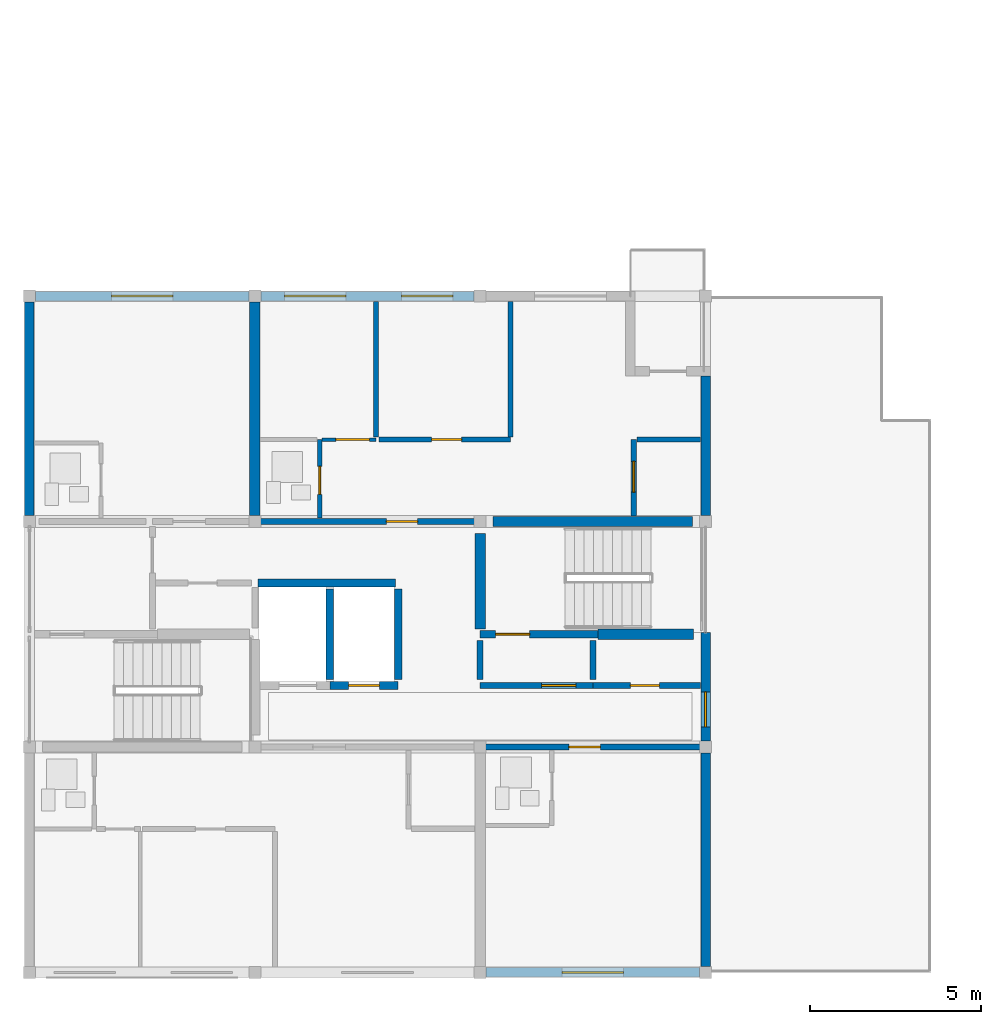
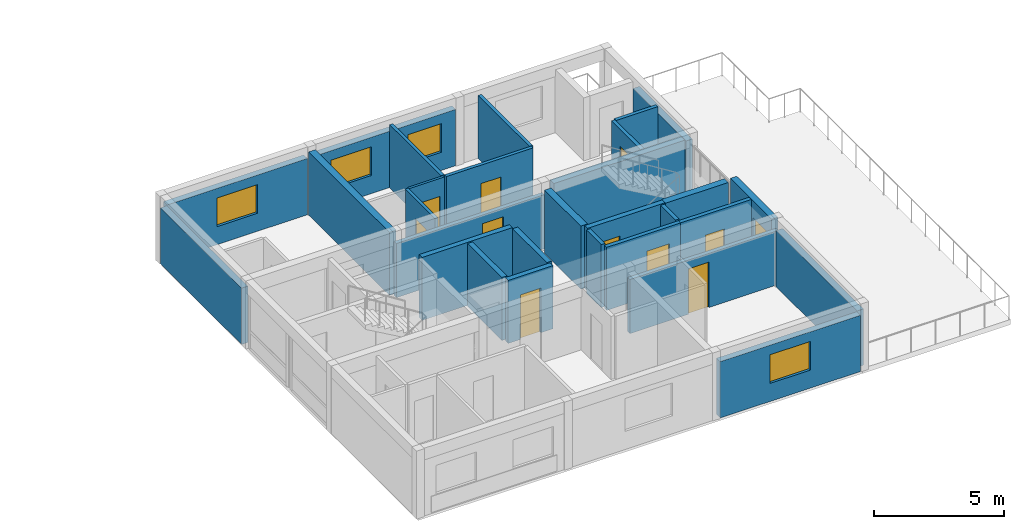
# One storey, part 26 of 46: 29 walls, 11 doors, 4 windows, 15 openings.
"""IFC4 building model written with IfcOpenShell, lengths in metres."""

from ifc_helpers import new_model, si_unit, direction, frame, frame_2d, origin, place, context, subcontext, project, spatial, rectangle, extrude, material, layer, layer_set, type_object, element, fill, save


model = new_model("IFC4")

# Units and contexts
model_context = context("Model", 3, precision=1e-05, world=origin(), true_north=direction((0.0, 1.0)))
body_context = subcontext(model_context, "Body", "Model", "MODEL_VIEW")
ifc_project = project(units=[si_unit("LENGTHUNIT", "METRE"), si_unit("AREAUNIT", "SQUARE_METRE"), si_unit("VOLUMEUNIT", "CUBIC_METRE"), si_unit("PLANEANGLEUNIT", "RADIAN"), si_unit("MASSUNIT", "GRAM", prefix="KILO")], contexts=[model_context])

# Site, building, storey
site_placement = place(None, origin())
site = spatial("IfcSite", under=ifc_project, at=site_placement, CompositionType="ELEMENT")
building_placement = place(site_placement, origin())
building = spatial("IfcBuilding", under=site, at=building_placement, Name="Kernevlak Ridge Housing Community", CompositionType="ELEMENT")
storey_placement = place(building_placement, frame((0.0, 0.0, 27.60009765625)))
storey = spatial("IfcBuildingStorey", under=building, at=storey_placement, Name="L08", CompositionType="ELEMENT", Elevation=27.60009765625)

# Wall, opening, window
ifc_material_1 = material(Name="Concrete block masonry M10", Category="masonry")
ifc_layer_1 = layer(ifc_material_1, 0.280029296875, Name="Concrete block masonry M10")
ifc_layer_set_1 = layer_set([ifc_layer_1], Name="Concrete block masonry M10")
wall_type_1 = type_object("IfcWallType", Name="EW-03", PredefinedType="STANDARD", material=ifc_layer_set_1)
wall_1_placement = place(storey_placement, frame((28.97509765625, 15.60009765625, 0.0), z_axis=(0.0, 0.0, 1.0), x_axis=(1.0, 0.0, 0.0)))
wall_1 = element("IfcWall", 1, at=wall_1_placement, inside=storey, type_object=wall_type_1, Name="Exterior wall EW-03 L08 825", PredefinedType="STANDARD", context=body_context, shape_type="SweptSolid", body=[
    extrude(rectangle(XDim=6.25, YDim=0.280029296875, at=frame_2d((3.125, 0.0))), origin(), (0.0, 0.0, 1.0), 2.64990234375),
])
opening_1_placement = place(wall_1_placement, frame((2.22509765625, 0.0, 0.85009765625)))
opening_1 = element("IfcOpeningElement", 2, at=opening_1_placement, cuts=wall_1, Name="Opening WT-03", PredefinedType="OPENING", context=body_context, shape_type="SweptSolid", body=[
    extrude(rectangle(XDim=1.800048828125, YDim=1.35009765625, at=frame_2d((0.89990234375, 0.675048828125))), frame((0.0, 0.14990234375, 0.0), z_axis=(0.0, -1.0, 0.0), x_axis=(1.0, 0.0, 0.0)), (0.0, 0.0, 1.0), 0.300048828125),
])
ifc_material_2 = material(Name="Aluminium EN AW-6060 anodised and laminated glass", Category="aluminium")
window_type_1 = type_object("IfcWindowType", Name="WT-03", PartitioningType="SINGLE_PANEL", PredefinedType="WINDOW", material=ifc_material_2)
window_1_placement = place(opening_1_placement, origin())
window_1 = element("IfcWindow", 3, at=window_1_placement, inside=storey, type_object=window_type_1, Name="Window WT-03 L08 686", OverallHeight=1.35009765625, OverallWidth=1.800048828125, PartitioningType="SINGLE_PANEL", PredefinedType="WINDOW", context=body_context, shape_type="SweptSolid", body=[
    extrude(rectangle(XDim=1.800048828125, YDim=1.35009765625, at=frame_2d((0.89990234375, 0.675048828125))), frame((0.0, 0.030029296875, 0.0), z_axis=(0.0, -1.0, 0.0), x_axis=(1.0, 0.0, 0.0)), (0.0, 0.0, 1.0), 0.06005859375),
])
fill(opening_1, window_1)

wall_2_placement = place(storey_placement, frame((15.77490234375, 35.39990234375, 0.0), z_axis=(0.0, 0.0, 1.0), x_axis=(1.0, 0.0, 0.0)))
wall_2 = element("IfcWall", 4, at=wall_2_placement, inside=storey, type_object=wall_type_1, Name="Exterior wall EW-03 L08 826", PredefinedType="STANDARD", context=body_context, shape_type="SweptSolid", body=[
    extrude(rectangle(XDim=6.25, YDim=0.280029296875, at=frame_2d((3.125, 0.0))), origin(), (0.0, 0.0, 1.0), 2.64990234375),
])
opening_2_placement = place(wall_2_placement, frame((2.22509765625, 0.0, 0.85009765625)))
opening_2 = element("IfcOpeningElement", 5, at=opening_2_placement, cuts=wall_2, Name="Opening WT-03", PredefinedType="OPENING", context=body_context, shape_type="SweptSolid", body=[
    extrude(rectangle(XDim=1.800048828125, YDim=1.35009765625, at=frame_2d((0.89990234375, 0.675048828125))), frame((0.0, 0.14990234375, 0.0), z_axis=(0.0, -1.0, 0.0), x_axis=(1.0, 0.0, 0.0)), (0.0, 0.0, 1.0), 0.300048828125),
])
window_2_placement = place(opening_2_placement, origin())
window_2 = element("IfcWindow", 6, at=window_2_placement, inside=storey, type_object=window_type_1, Name="Window WT-03 L08 687", OverallHeight=1.35009765625, OverallWidth=1.800048828125, PartitioningType="SINGLE_PANEL", PredefinedType="WINDOW", context=body_context, shape_type="SweptSolid", body=[
    extrude(rectangle(XDim=1.800048828125, YDim=1.35009765625, at=frame_2d((0.89990234375, 0.675048828125))), frame((0.0, 0.030029296875, 0.0), z_axis=(0.0, -1.0, 0.0), x_axis=(1.0, 0.0, 0.0)), (0.0, 0.0, 1.0), 0.06005859375),
])
fill(opening_2, window_2)

# Wall, openings, windows
wall_3_placement = place(storey_placement, frame((22.375, 35.39990234375, 0.0), z_axis=(0.0, 0.0, 1.0), x_axis=(1.0, 0.0, 0.0)))
wall_3 = element("IfcWall", 7, at=wall_3_placement, inside=storey, type_object=wall_type_1, Name="Exterior wall EW-03 L08 827", PredefinedType="STANDARD", context=body_context, shape_type="SweptSolid", body=[
    extrude(rectangle(XDim=6.25, YDim=0.280029296875, at=frame_2d((3.125, 0.0))), origin(), (0.0, 0.0, 1.0), 2.64990234375),
])
opening_3_placement = place(wall_3_placement, frame((0.699951171875, 0.0, 0.85009765625)))
opening_3 = element("IfcOpeningElement", 8, at=opening_3_placement, cuts=wall_3, Name="Opening WT-03", PredefinedType="OPENING", context=body_context, shape_type="SweptSolid", body=[
    extrude(rectangle(XDim=1.800048828125, YDim=1.35009765625, at=frame_2d((0.89990234375, 0.675048828125))), frame((0.0, 0.14990234375, 0.0), z_axis=(0.0, -1.0, 0.0), x_axis=(1.0, 0.0, 0.0)), (0.0, 0.0, 1.0), 0.300048828125),
])
opening_4_placement = place(wall_3_placement, frame((4.125, 0.0, 0.85009765625)))
opening_4 = element("IfcOpeningElement", 9, at=opening_4_placement, cuts=wall_3, Name="Opening WT-02", PredefinedType="OPENING", context=body_context, shape_type="SweptSolid", body=[
    extrude(rectangle(XDim=1.5, YDim=1.35009765625, at=frame_2d((0.75, 0.675048828125))), frame((0.0, 0.14990234375, 0.0), z_axis=(0.0, -1.0, 0.0), x_axis=(1.0, 0.0, 0.0)), (0.0, 0.0, 1.0), 0.300048828125),
])
window_type_2 = type_object("IfcWindowType", Name="WT-02", PartitioningType="SINGLE_PANEL", PredefinedType="WINDOW", material=ifc_material_2)
window_3_placement = place(opening_4_placement, origin())
window_3 = element("IfcWindow", 10, at=window_3_placement, inside=storey, type_object=window_type_2, Name="Window WT-02 L08 689", OverallHeight=1.35009765625, OverallWidth=1.5, PartitioningType="SINGLE_PANEL", PredefinedType="WINDOW", context=body_context, shape_type="SweptSolid", body=[
    extrude(rectangle(XDim=1.5, YDim=1.35009765625, at=frame_2d((0.75, 0.675048828125))), frame((0.0, 0.030029296875, 0.0), z_axis=(0.0, -1.0, 0.0), x_axis=(1.0, 0.0, 0.0)), (0.0, 0.0, 1.0), 0.06005859375),
])
fill(opening_4, window_3)
window_4_placement = place(opening_3_placement, origin())
window_4 = element("IfcWindow", 11, at=window_4_placement, inside=storey, type_object=window_type_1, Name="Window WT-03 L08 688", OverallHeight=1.35009765625, OverallWidth=1.800048828125, PartitioningType="SINGLE_PANEL", PredefinedType="WINDOW", context=body_context, shape_type="SweptSolid", body=[
    extrude(rectangle(XDim=1.800048828125, YDim=1.35009765625, at=frame_2d((0.89990234375, 0.675048828125))), frame((0.0, 0.030029296875, 0.0), z_axis=(0.0, -1.0, 0.0), x_axis=(1.0, 0.0, 0.0)), (0.0, 0.0, 1.0), 0.06005859375),
])
fill(opening_3, window_4)

# Walls
for number, where, z_axis, x_axis, name in (
    (12, (15.60009765625, 28.97509765625, 0.0), (0.0, 0.0, 1.0), (0.0, 1.0, 0.0), "Exterior wall EW-03 L08 832"),
    (13, (35.39990234375, 15.77490234375, 0.0), (0.0, 0.0, 1.0), (0.0, 1.0, 0.0), "Exterior wall EW-03 L08 833"),
):
    element("IfcWall", number, at=place(storey_placement, frame(where, z_axis=z_axis, x_axis=x_axis)), inside=storey, type_object=wall_type_1, Name=name, PredefinedType="STANDARD", context=body_context, shape_type="SweptSolid", body=[
        extrude(rectangle(XDim=6.25, YDim=0.280029296875, at=frame_2d((3.125, 0.0))), origin(), (0.0, 0.0, 1.0), 2.64990234375),
    ])

# Wall, opening, door
wall_4_placement = place(storey_placement, frame((35.39990234375, 22.375, 0.0), z_axis=(0.0, 0.0, 1.0), x_axis=(0.0, 1.0, 0.0)))
wall_4 = element("IfcWall", 14, at=wall_4_placement, inside=storey, type_object=wall_type_1, Name="Exterior wall EW-03 L08 834", PredefinedType="STANDARD", context=body_context, shape_type="SweptSolid", body=[
    extrude(rectangle(XDim=3.175048828125, YDim=0.280029296875, at=frame_2d((1.58740234375, 0.0))), origin(), (0.0, 0.0, 1.0), 2.969970703125),
])
opening_5_placement = place(wall_4_placement, frame((0.4150390625, 0.0, 0.0)))
opening_5 = element("IfcOpeningElement", 15, at=opening_5_placement, cuts=wall_4, Name="Opening E741", PredefinedType="OPENING", context=body_context, shape_type="SweptSolid", body=[
    extrude(rectangle(XDim=1.02001953125, YDim=2.159912109375, at=frame_2d((0.510009765625, 1.080078125))), frame((0.0, 0.14990234375, 0.0), z_axis=(0.0, -1.0, 0.0), x_axis=(1.0, 0.0, 0.0)), (0.0, 0.0, 1.0), 0.300048828125),
])
ifc_material_3 = material(Name="Aluminium EN AW-6060 and laminated safety glass", Category="aluminium")
door_type_1 = type_object("IfcDoorType", Name="DT-33", OperationType="NOTDEFINED", PredefinedType="DOOR", material=ifc_material_3)
door_1_placement = place(opening_5_placement, origin())
door_1 = element("IfcDoor", 16, at=door_1_placement, inside=storey, type_object=door_type_1, Name="Block D L08 setback terrace glazed door E741", OperationType="SINGLE_SWING_RIGHT", OverallHeight=2.159912109375, OverallWidth=1.02001953125, PredefinedType="DOOR", context=body_context, shape_type="SweptSolid", body=[
    extrude(rectangle(XDim=1.02001953125, YDim=2.159912109375, at=frame_2d((0.510009765625, 1.080078125))), frame((0.0, 0.02490234375, 0.0), z_axis=(0.0, -1.0, 0.0), x_axis=(1.0, 0.0, 0.0)), (0.0, 0.0, 1.0), 0.050048828125),
])
fill(opening_5, door_1)

# Wall
wall_5_placement = place(storey_placement, frame((35.39990234375, 28.97509765625, 0.0), z_axis=(0.0, 0.0, 1.0), x_axis=(0.0, 1.0, 0.0)))
element("IfcWall", 17, at=wall_5_placement, inside=storey, type_object=wall_type_1, Name="Exterior wall EW-03 L08 835", PredefinedType="STANDARD", context=body_context, shape_type="SweptSolid", body=[
    extrude(rectangle(XDim=4.0849609375, YDim=0.280029296875, at=frame_2d((2.04248046875, 0.0))), origin(), (0.0, 0.0, 1.0), 2.64990234375),
])

# Wall, opening, door
ifc_material_4 = material(Name="Concrete C35/45", Category="concrete")
ifc_layer_2 = layer(ifc_material_4, 0.22509765625, Name="Concrete C35/45")
ifc_layer_set_2 = layer_set([ifc_layer_2], Name="Concrete C35/45")
wall_type_2 = type_object("IfcWallType", Name="PW-01", PredefinedType="STANDARD", material=ifc_layer_set_2)
wall_6_placement = place(storey_placement, frame((24.39990234375, 24.0, 0.0), z_axis=(0.0, 0.0, 1.0), x_axis=(1.0, 0.0, 0.0)))
wall_6 = element("IfcWall", 18, at=wall_6_placement, inside=storey, type_object=wall_type_2, Name="Interior wall PW-01 WAL-INT-L08-3424", PredefinedType="STANDARD", context=body_context, shape_type="SweptSolid", body=[
    extrude(rectangle(XDim=2.0, YDim=0.22509765625, at=frame_2d((1.0, 0.0))), origin(), (0.0, 0.0, 1.0), 2.969970703125),
])
opening_6_placement = place(wall_6_placement, frame((0.550048828125, 0.0, 0.0)))
opening_6 = element("IfcOpeningElement", 19, at=opening_6_placement, cuts=wall_6, Name="Opening LD95", PredefinedType="OPENING", context=body_context, shape_type="SweptSolid", body=[
    extrude(rectangle(XDim=0.89990234375, YDim=2.10009765625, at=frame_2d((0.449951171875, 1.050048828125))), frame((0.0, 0.12255859375, 0.0), z_axis=(0.0, -1.0, 0.0), x_axis=(1.0, 0.0, 0.0)), (0.0, 0.0, 1.0), 0.2451171875),
])
ifc_material_5 = material(Name="Stainless steel EN 1.4401", Category="steel")
door_type_2 = type_object("IfcDoorType", Name="DT-LD2", OperationType="DOUBLE_DOOR_SLIDING", PredefinedType="DOOR", material=ifc_material_5)
door_2_placement = place(opening_6_placement, origin())
door_2 = element("IfcDoor", 20, at=door_2_placement, inside=storey, type_object=door_type_2, Name="Lift LF-D2 landing door LD95", OperationType="DOUBLE_DOOR_SLIDING", OverallHeight=2.10009765625, OverallWidth=0.89990234375, PredefinedType="DOOR", context=body_context, shape_type="SweptSolid", body=[
    extrude(rectangle(XDim=0.89990234375, YDim=2.10009765625, at=frame_2d((0.449951171875, 1.050048828125))), frame((0.0, 0.02490234375, 0.0), z_axis=(0.0, -1.0, 0.0), x_axis=(1.0, 0.0, 0.0)), (0.0, 0.0, 1.0), 0.050048828125),
])
fill(opening_6, door_2)

# Walls
wall_7_placement = place(storey_placement, frame((22.297607421875, 27.0, 0.0), z_axis=(0.0, 0.0, 1.0), x_axis=(1.0, 0.0, 0.0)))
element("IfcWall", 21, at=wall_7_placement, inside=storey, type_object=wall_type_2, Name="Interior wall PW-01 WAL-INT-L08-3425", PredefinedType="STANDARD", context=body_context, shape_type="SweptSolid", body=[
    extrude(rectangle(XDim=4.0224609375, YDim=0.22509765625, at=frame_2d((2.01123046875, 0.0))), origin(), (0.0, 0.0, 1.0), 2.969970703125),
])
for number, where, z_axis, x_axis, name in (
    (22, (24.39990234375, 24.179931640625, 0.0), (0.0, 0.0, 1.0), (0.0, 1.0, 0.0), "Interior wall PW-01 WAL-INT-L08-3427"),
    (23, (26.39990234375, 24.179931640625, 0.0), (0.0, 0.0, 1.0), (0.0, 1.0, 0.0), "Interior wall PW-01 WAL-INT-L08-3428"),
):
    element("IfcWall", number, at=place(storey_placement, frame(where, z_axis=z_axis, x_axis=x_axis)), inside=storey, type_object=wall_type_2, Name=name, PredefinedType="STANDARD", context=body_context, shape_type="SweptSolid", body=[
        extrude(rectangle(XDim=2.64013671875, YDim=0.22509765625, at=frame_2d((1.320068359375, 0.0))), origin(), (0.0, 0.0, 1.0), 2.969970703125),
    ])

# Wall, opening, door
wall_8_placement = place(storey_placement, frame((28.800048828125, 25.5, 0.0), z_axis=(0.0, 0.0, 1.0), x_axis=(1.0, 0.0, 0.0)))
wall_8 = element("IfcWall", 24, at=wall_8_placement, inside=storey, type_object=wall_type_2, Name="Interior wall PW-01 WAL-INT-L08-3429", PredefinedType="STANDARD", context=body_context, shape_type="SweptSolid", body=[
    extrude(rectangle(XDim=3.449951171875, YDim=0.22509765625, at=frame_2d((1.72509765625, 0.0))), origin(), (0.0, 0.0, 1.0), 2.969970703125),
])
opening_7_placement = place(wall_8_placement, frame((0.449951171875, 0.0, 0.0)))
opening_7 = element("IfcOpeningElement", 25, at=opening_7_placement, cuts=wall_8, Name="Opening E738", PredefinedType="OPENING", context=body_context, shape_type="SweptSolid", body=[
    extrude(rectangle(XDim=1.0, YDim=2.10009765625, at=frame_2d((0.5, 1.050048828125))), frame((0.0, 0.12255859375, 0.0), z_axis=(0.0, -1.0, 0.0), x_axis=(1.0, 0.0, 0.0)), (0.0, 0.0, 1.0), 0.2451171875),
])
ifc_material_6 = material(Name="Fire-rated sheet steel leaf", Category="steel")
door_type_3 = type_object("IfcDoorType", Name="DT-05", OperationType="NOTDEFINED", PredefinedType="DOOR", material=ifc_material_6)
door_3_placement = place(opening_7_placement, origin())
door_3 = element("IfcDoor", 26, at=door_3_placement, inside=storey, type_object=door_type_3, Name="Block D Stair 2 fire door E738", OperationType="SINGLE_SWING_LEFT", OverallHeight=2.10009765625, OverallWidth=1.0, PredefinedType="DOOR", context=body_context, shape_type="SweptSolid", body=[
    extrude(rectangle(XDim=1.0, YDim=2.10009765625, at=frame_2d((0.5, 1.050048828125))), frame((0.0, 0.02490234375, 0.0), z_axis=(0.0, -1.0, 0.0), x_axis=(1.0, 0.0, 0.0)), (0.0, 0.0, 1.0), 0.050048828125),
])
fill(opening_7, door_3)

ifc_layer_3 = layer(ifc_material_1, 0.175048828125, Name="Concrete block masonry M10")
ifc_layer_set_3 = layer_set([ifc_layer_3], Name="Concrete block masonry M10")
wall_type_3 = type_object("IfcWallType", Name="PW-02", PredefinedType="PARTITIONING", material=ifc_layer_set_3)
wall_9_placement = place(storey_placement, frame((28.800048828125, 24.0, 0.0), z_axis=(0.0, 0.0, 1.0), x_axis=(1.0, 0.0, 0.0)))
wall_9 = element("IfcWall", 27, at=wall_9_placement, inside=storey, type_object=wall_type_3, Name="Interior wall PW-02 WAL-INT-L08-3430", PredefinedType="PARTITIONING", context=body_context, shape_type="SweptSolid", body=[
    extrude(rectangle(XDim=3.300048828125, YDim=0.175048828125, at=frame_2d((1.64990234375, 0.0))), origin(), (0.0, 0.0, 1.0), 2.969970703125),
])
opening_8_placement = place(wall_9_placement, frame((1.800048828125, 0.0, 0.0)))
opening_8 = element("IfcOpeningElement", 28, at=opening_8_placement, cuts=wall_9, Name="Opening E739", PredefinedType="OPENING", context=body_context, shape_type="SweptSolid", body=[
    extrude(rectangle(XDim=1.0, YDim=2.159912109375, at=frame_2d((0.5, 1.080078125))), frame((0.0, 0.097412109375, 0.0), z_axis=(0.0, -1.0, 0.0), x_axis=(1.0, 0.0, 0.0)), (0.0, 0.0, 1.0), 0.195068359375),
])
door_type_4 = type_object("IfcDoorType", Name="DT-15", OperationType="NOTDEFINED", PredefinedType="DOOR", material=ifc_material_6)
door_4_placement = place(opening_8_placement, origin())
door_4 = element("IfcDoor", 29, at=door_4_placement, inside=storey, type_object=door_type_4, Name="Block D Firefighting lobby 2 door E739", OperationType="SINGLE_SWING_RIGHT", OverallHeight=2.159912109375, OverallWidth=1.0, PredefinedType="DOOR", context=body_context, shape_type="SweptSolid", body=[
    extrude(rectangle(XDim=1.0, YDim=2.159912109375, at=frame_2d((0.5, 1.080078125))), frame((0.0, 0.02490234375, 0.0), z_axis=(0.0, -1.0, 0.0), x_axis=(1.0, 0.0, 0.0)), (0.0, 0.0, 1.0), 0.050048828125),
])
fill(opening_8, door_4)

wall_10_placement = place(storey_placement, frame((32.10009765625, 24.0, 0.0), z_axis=(0.0, 0.0, 1.0), x_axis=(1.0, 0.0, 0.0)))
wall_10 = element("IfcWall", 30, at=wall_10_placement, inside=storey, type_object=wall_type_3, Name="Interior wall PW-02 WAL-INT-L08-3431", PredefinedType="PARTITIONING", context=body_context, shape_type="SweptSolid", body=[
    extrude(rectangle(XDim=3.14990234375, YDim=0.175048828125, at=frame_2d((1.574951171875, 0.0))), origin(), (0.0, 0.0, 1.0), 2.969970703125),
])
opening_9_placement = place(wall_10_placement, frame((1.10009765625, 0.0, 0.0)))
opening_9 = element("IfcOpeningElement", 31, at=opening_9_placement, cuts=wall_10, Name="Opening E740", PredefinedType="OPENING", context=body_context, shape_type="SweptSolid", body=[
    extrude(rectangle(XDim=0.85009765625, YDim=2.0, at=frame_2d((0.425048828125, 1.0))), frame((0.0, 0.097412109375, 0.0), z_axis=(0.0, -1.0, 0.0), x_axis=(1.0, 0.0, 0.0)), (0.0, 0.0, 1.0), 0.195068359375),
])
door_type_5 = type_object("IfcDoorType", Name="DT-07", OperationType="NOTDEFINED", PredefinedType="DOOR", material=ifc_material_6)
door_5_placement = place(opening_9_placement, origin())
door_5 = element("IfcDoor", 32, at=door_5_placement, inside=storey, type_object=door_type_5, Name="Block D Cleaner store door E740", OperationType="SINGLE_SWING_LEFT", OverallHeight=2.0, OverallWidth=0.85009765625, PredefinedType="DOOR", context=body_context, shape_type="SweptSolid", body=[
    extrude(rectangle(XDim=0.85009765625, YDim=2.0, at=frame_2d((0.425048828125, 1.0))), frame((0.0, 0.02490234375, 0.0), z_axis=(0.0, -1.0, 0.0), x_axis=(1.0, 0.0, 0.0)), (0.0, 0.0, 1.0), 0.050048828125),
])
fill(opening_9, door_5)

# Walls
for number, where, z_axis, x_axis, name in (
    (33, (28.800048828125, 24.179931640625, 0.0), (0.0, 0.0, 1.0), (0.0, 1.0, 0.0), "Interior wall PW-02 WAL-INT-L08-3432"),
    (34, (32.10009765625, 24.179931640625, 0.0), (0.0, 0.0, 1.0), (0.0, 1.0, 0.0), "Interior wall PW-02 WAL-INT-L08-3433"),
):
    element("IfcWall", number, at=place(storey_placement, frame(where, z_axis=z_axis, x_axis=x_axis)), inside=storey, type_object=wall_type_3, Name=name, PredefinedType="PARTITIONING", context=body_context, shape_type="SweptSolid", body=[
        extrude(rectangle(XDim=1.14013671875, YDim=0.175048828125, at=frame_2d((0.570068359375, 0.0))), origin(), (0.0, 0.0, 1.0), 2.969970703125),
    ])

# Wall, opening, door
wall_11_placement = place(storey_placement, frame((28.800048828125, 22.199951171875, 0.0), z_axis=(0.0, 0.0, 1.0), x_axis=(1.0, 0.0, 0.0)))
wall_11 = element("IfcWall", 35, at=wall_11_placement, inside=storey, type_object=wall_type_3, Name="Interior wall PW-02 WAL-INT-L08-3444", PredefinedType="PARTITIONING", context=body_context, shape_type="SweptSolid", body=[
    extrude(rectangle(XDim=6.599853515625, YDim=0.175048828125, at=frame_2d((3.2998046875, 0.0))), origin(), (0.0, 0.0, 1.0), 2.5498046875),
])
opening_10_placement = place(wall_11_placement, frame((2.60009765625, 0.0, 0.0)))
opening_10 = element("IfcOpeningElement", 36, at=opening_10_placement, cuts=wall_11, Name="Opening E747", PredefinedType="OPENING", context=body_context, shape_type="SweptSolid", body=[
    extrude(rectangle(XDim=0.919921875, YDim=2.139892578125, at=frame_2d((0.4599609375, 1.06982421875))), frame((0.0, 0.097412109375, 0.0), z_axis=(0.0, -1.0, 0.0), x_axis=(1.0, 0.0, 0.0)), (0.0, 0.0, 1.0), 0.195068359375),
])
ifc_material_7 = material(Name="Hardwood timber solid-core fire leaf", Category="wood")
door_type_6 = type_object("IfcDoorType", Name="DT-20", OperationType="NOTDEFINED", PredefinedType="DOOR", material=ifc_material_7)
door_6_placement = place(opening_10_placement, origin())
door_6 = element("IfcDoor", 37, at=door_6_placement, inside=storey, type_object=door_type_6, Name="Flat D0812 entrance fire door E747", OperationType="SINGLE_SWING_RIGHT", OverallHeight=2.139892578125, OverallWidth=0.919921875, PredefinedType="DOOR", context=body_context, shape_type="SweptSolid", body=[
    extrude(rectangle(XDim=0.919921875, YDim=2.139892578125, at=frame_2d((0.4599609375, 1.06982421875))), frame((0.0, 0.02490234375, 0.0), z_axis=(0.0, -1.0, 0.0), x_axis=(1.0, 0.0, 0.0)), (0.0, 0.0, 1.0), 0.050048828125),
])
fill(opening_10, door_6)

wall_12_placement = place(storey_placement, frame((22.199951171875, 28.800048828125, 0.0), z_axis=(0.0, 0.0, 1.0), x_axis=(1.0, 0.0, 0.0)))
wall_12 = element("IfcWall", 38, at=wall_12_placement, inside=storey, type_object=wall_type_3, Name="Interior wall PW-02 WAL-INT-L08-3451", PredefinedType="PARTITIONING", context=body_context, shape_type="SweptSolid", body=[
    extrude(rectangle(XDim=6.60009765625, YDim=0.175048828125, at=frame_2d((3.300048828125, 0.0))), origin(), (0.0, 0.0, 1.0), 2.5498046875),
])
opening_11_placement = place(wall_12_placement, frame((3.85009765625, 0.0, 0.0)))
opening_11 = element("IfcOpeningElement", 39, at=opening_11_placement, cuts=wall_12, Name="Opening E751", PredefinedType="OPENING", context=body_context, shape_type="SweptSolid", body=[
    extrude(rectangle(XDim=0.919921875, YDim=2.139892578125, at=frame_2d((0.4599609375, 1.06982421875))), frame((0.0, 0.097412109375, 0.0), z_axis=(0.0, -1.0, 0.0), x_axis=(1.0, 0.0, 0.0)), (0.0, 0.0, 1.0), 0.195068359375),
])
door_7_placement = place(opening_11_placement, origin())
door_7 = element("IfcDoor", 40, at=door_7_placement, inside=storey, type_object=door_type_6, Name="Flat D0822 entrance fire door E751", OperationType="SINGLE_SWING_RIGHT", OverallHeight=2.139892578125, OverallWidth=0.919921875, PredefinedType="DOOR", context=body_context, shape_type="SweptSolid", body=[
    extrude(rectangle(XDim=0.919921875, YDim=2.139892578125, at=frame_2d((0.4599609375, 1.06982421875))), frame((0.0, 0.02490234375, 0.0), z_axis=(0.0, -1.0, 0.0), x_axis=(1.0, 0.0, 0.0)), (0.0, 0.0, 1.0), 0.050048828125),
])
fill(opening_11, door_7)

# Wall
ifc_layer_4 = layer(ifc_material_1, 0.14501953125, Name="Concrete block masonry M10")
ifc_layer_set_4 = layer_set([ifc_layer_4], Name="Concrete block masonry M10")
wall_type_4 = type_object("IfcWallType", Name="PW-03", PredefinedType="PARTITIONING", material=ifc_layer_set_4)
wall_13_placement = place(storey_placement, frame((25.75, 31.280029296875, 0.0), z_axis=(0.0, 0.0, 1.0), x_axis=(0.0, 1.0, 0.0)))
element("IfcWall", 41, at=wall_13_placement, inside=storey, type_object=wall_type_4, Name="Interior wall PW-03 WAL-INT-L08-3457", PredefinedType="PARTITIONING", context=body_context, shape_type="SweptSolid", body=[
    extrude(rectangle(XDim=3.969970703125, YDim=0.14501953125, at=frame_2d((1.98486328125, 0.0))), origin(), (0.0, 0.0, 1.0), 2.969970703125),
])

# Wall, opening, door
wall_14_placement = place(storey_placement, frame((25.83251953125, 31.199951171875, 0.0), z_axis=(0.0, 0.0, 1.0), x_axis=(1.0, 0.0, 0.0)))
wall_14 = element("IfcWall", 42, at=wall_14_placement, inside=storey, type_object=wall_type_4, Name="Interior wall PW-03 WAL-INT-L08-3458", PredefinedType="PARTITIONING", context=body_context, shape_type="SweptSolid", body=[
    extrude(rectangle(XDim=3.859375, YDim=0.14501953125, at=frame_2d((1.9296875, 0.0))), origin(), (0.0, 0.0, 1.0), 2.969970703125),
])
opening_12_placement = place(wall_14_placement, frame((1.5458984375, 0.0, 0.0)))
opening_12 = element("IfcOpeningElement", 43, at=opening_12_placement, cuts=wall_14, Name="Opening E755", PredefinedType="OPENING", context=body_context, shape_type="SweptSolid", body=[
    extrude(rectangle(XDim=0.8798828125, YDim=2.10009765625, at=frame_2d((0.43994140625, 1.050048828125))), frame((0.0, 0.08251953125, 0.0), z_axis=(0.0, -1.0, 0.0), x_axis=(1.0, 0.0, 0.0)), (0.0, 0.0, 1.0), 0.1650390625),
])
ifc_material_8 = material(Name="Hardwood timber leaf", Category="wood")
door_type_7 = type_object("IfcDoorType", Name="DT-25", OperationType="NOTDEFINED", PredefinedType="DOOR", material=ifc_material_8)
door_8_placement = place(opening_12_placement, origin())
door_8 = element("IfcDoor", 44, at=door_8_placement, inside=storey, type_object=door_type_7, Name="Flat D0822 bedroom door E755", OperationType="SINGLE_SWING_RIGHT", OverallHeight=2.10009765625, OverallWidth=0.8798828125, PredefinedType="DOOR", context=body_context, shape_type="SweptSolid", body=[
    extrude(rectangle(XDim=0.8798828125, YDim=2.10009765625, at=frame_2d((0.43994140625, 1.050048828125))), frame((0.0, 0.02490234375, 0.0), z_axis=(0.0, -1.0, 0.0), x_axis=(1.0, 0.0, 0.0)), (0.0, 0.0, 1.0), 0.050048828125),
])
fill(opening_12, door_8)

# Wall
wall_15_placement = place(storey_placement, frame((29.69189453125, 31.282470703125, 0.0), z_axis=(0.0, 0.0, 1.0), x_axis=(0.0, 1.0, 0.0)))
element("IfcWall", 45, at=wall_15_placement, inside=storey, type_object=wall_type_4, Name="Interior wall PW-03 WAL-INT-L08-3459", PredefinedType="PARTITIONING", context=body_context, shape_type="SweptSolid", body=[
    extrude(rectangle(XDim=3.967529296875, YDim=0.14501953125, at=frame_2d((1.98388671875, 0.0))), origin(), (0.0, 0.0, 1.0), 2.969970703125),
])

# Wall, opening, door
ifc_material_9 = material(Name="Gypsum plasterboard EN 520", Category="gypsum")
ifc_layer_5 = layer(ifc_material_9, 0.125, Name="Gypsum plasterboard EN 520")
ifc_layer_set_5 = layer_set([ifc_layer_5], Name="Gypsum plasterboard EN 520")
wall_type_5 = type_object("IfcWallType", Name="PW-04", PredefinedType="PARTITIONING", material=ifc_layer_set_5)
wall_16_placement = place(storey_placement, frame((24.10009765625, 28.8974609375, 0.0), z_axis=(0.0, 0.0, 1.0), x_axis=(0.0, 1.0, 0.0)))
wall_16 = element("IfcWall", 46, at=wall_16_placement, inside=storey, type_object=wall_type_5, Name="Interior wall PW-04 WAL-INT-L08-3452", PredefinedType="PARTITIONING", context=body_context, shape_type="SweptSolid", body=[
    extrude(rectangle(XDim=2.302490234375, YDim=0.125, at=frame_2d((1.1513671875, 0.0))), origin(), (0.0, 0.0, 1.0), 2.969970703125),
])
opening_13_placement = place(wall_16_placement, frame((0.699951171875, 0.0, 0.0)))
opening_13 = element("IfcOpeningElement", 47, at=opening_13_placement, cuts=wall_16, Name="Opening E752", PredefinedType="OPENING", context=body_context, shape_type="SweptSolid", body=[
    extrude(rectangle(XDim=0.820068359375, YDim=2.050048828125, at=frame_2d((0.41015625, 1.02490234375))), frame((0.0, 0.072509765625, 0.0), z_axis=(0.0, -1.0, 0.0), x_axis=(1.0, 0.0, 0.0)), (0.0, 0.0, 1.0), 0.14501953125),
])
ifc_material_10 = material(Name="Hardwood timber moisture-resistant leaf", Category="wood")
door_type_8 = type_object("IfcDoorType", Name="DT-30", OperationType="NOTDEFINED", PredefinedType="DOOR", material=ifc_material_10)
door_9_placement = place(opening_13_placement, origin())
door_9 = element("IfcDoor", 48, at=door_9_placement, inside=storey, type_object=door_type_8, Name="Flat D0822 bathroom door E752", OperationType="SINGLE_SWING_LEFT", OverallHeight=2.050048828125, OverallWidth=0.820068359375, PredefinedType="DOOR", context=body_context, shape_type="SweptSolid", body=[
    extrude(rectangle(XDim=0.820068359375, YDim=2.050048828125, at=frame_2d((0.41015625, 1.02490234375))), frame((0.0, 0.02490234375, 0.0), z_axis=(0.0, -1.0, 0.0), x_axis=(1.0, 0.0, 0.0)), (0.0, 0.0, 1.0), 0.050048828125),
])
fill(opening_13, door_9)

ifc_layer_6 = layer(ifc_material_9, 0.155029296875, Name="Gypsum plasterboard EN 520")
ifc_layer_set_6 = layer_set([ifc_layer_6], Name="Gypsum plasterboard EN 520")
wall_type_6 = type_object("IfcWallType", Name="PW-05", PredefinedType="PARTITIONING", material=ifc_layer_set_6)
wall_17_placement = place(storey_placement, frame((33.300048828125, 28.9599609375, 0.0), z_axis=(0.0, 0.0, 1.0), x_axis=(0.0, 1.0, 0.0)))
wall_17 = element("IfcWall", 49, at=wall_17_placement, inside=storey, type_object=wall_type_6, Name="Interior wall PW-05 WAL-INT-L08-3454", PredefinedType="PARTITIONING", context=body_context, shape_type="SweptSolid", body=[
    extrude(rectangle(XDim=2.239990234375, YDim=0.155029296875, at=frame_2d((1.1201171875, 0.0))), origin(), (0.0, 0.0, 1.0), 2.969970703125),
])
opening_14_placement = place(wall_17_placement, frame((0.699951171875, 0.0, 0.0)))
opening_14 = element("IfcOpeningElement", 50, at=opening_14_placement, cuts=wall_17, Name="Opening E753", PredefinedType="OPENING", context=body_context, shape_type="SweptSolid", body=[
    extrude(rectangle(XDim=0.89990234375, YDim=2.159912109375, at=frame_2d((0.449951171875, 1.080078125))), frame((0.0, 0.08740234375, 0.0), z_axis=(0.0, -1.0, 0.0), x_axis=(1.0, 0.0, 0.0)), (0.0, 0.0, 1.0), 0.175048828125),
])
door_type_9 = type_object("IfcDoorType", Name="DT-22", OperationType="NOTDEFINED", PredefinedType="DOOR", material=ifc_material_8)
door_10_placement = place(opening_14_placement, origin())
door_10 = element("IfcDoor", 51, at=door_10_placement, inside=storey, type_object=door_type_9, Name="Flat D0822 kitchen door E753", OperationType="SINGLE_SWING_RIGHT", OverallHeight=2.159912109375, OverallWidth=0.89990234375, PredefinedType="DOOR", context=body_context, shape_type="SweptSolid", body=[
    extrude(rectangle(XDim=0.89990234375, YDim=2.159912109375, at=frame_2d((0.449951171875, 1.080078125))), frame((0.0, 0.02490234375, 0.0), z_axis=(0.0, -1.0, 0.0), x_axis=(1.0, 0.0, 0.0)), (0.0, 0.0, 1.0), 0.050048828125),
])
fill(opening_14, door_10)

# Wall
wall_18_placement = place(storey_placement, frame((33.387451171875, 31.199951171875, 0.0), z_axis=(0.0, 0.0, 1.0), x_axis=(1.0, 0.0, 0.0)))
element("IfcWall", 52, at=wall_18_placement, inside=storey, type_object=wall_type_6, Name="Interior wall PW-05 WAL-INT-L08-3455", PredefinedType="PARTITIONING", context=body_context, shape_type="SweptSolid", body=[
    extrude(rectangle(XDim=1.862548828125, YDim=0.155029296875, at=frame_2d((0.93115234375, 0.0))), origin(), (0.0, 0.0, 1.0), 2.969970703125),
])

# Wall, opening, door
ifc_layer_7 = layer(ifc_material_9, 0.10498046875, Name="Gypsum plasterboard EN 520")
ifc_layer_set_7 = layer_set([ifc_layer_7], Name="Gypsum plasterboard EN 520")
wall_type_7 = type_object("IfcWallType", Name="PW-06", PredefinedType="PARTITIONING", material=ifc_layer_set_7)
wall_19_placement = place(storey_placement, frame((24.172607421875, 31.199951171875, 0.0), z_axis=(0.0, 0.0, 1.0), x_axis=(1.0, 0.0, 0.0)))
wall_19 = element("IfcWall", 53, at=wall_19_placement, inside=storey, type_object=wall_type_7, Name="Interior wall PW-06 WAL-INT-L08-3456", PredefinedType="PARTITIONING", context=body_context, shape_type="SweptSolid", body=[
    extrude(rectangle(XDim=1.577392578125, YDim=0.10498046875, at=frame_2d((0.78857421875, 0.0))), origin(), (0.0, 0.0, 1.0), 2.969970703125),
])
opening_15_placement = place(wall_19_placement, frame((0.39990234375, 0.0, 0.0)))
opening_15 = element("IfcOpeningElement", 54, at=opening_15_placement, cuts=wall_19, Name="Opening E754", PredefinedType="OPENING", context=body_context, shape_type="SweptSolid", body=[
    extrude(rectangle(XDim=0.97998046875, YDim=2.1201171875, at=frame_2d((0.489990234375, 1.06005859375))), frame((0.0, 0.0625, 0.0), z_axis=(0.0, -1.0, 0.0), x_axis=(1.0, 0.0, 0.0)), (0.0, 0.0, 1.0), 0.125),
])
door_type_10 = type_object("IfcDoorType", Name="DT-24", OperationType="NOTDEFINED", PredefinedType="DOOR", material=ifc_material_8)
door_11_placement = place(opening_15_placement, origin())
door_11 = element("IfcDoor", 55, at=door_11_placement, inside=storey, type_object=door_type_10, Name="Flat D0822 bedroom door E754", OperationType="SINGLE_SWING_LEFT", OverallHeight=2.1201171875, OverallWidth=0.97998046875, PredefinedType="DOOR", context=body_context, shape_type="SweptSolid", body=[
    extrude(rectangle(XDim=0.97998046875, YDim=2.1201171875, at=frame_2d((0.489990234375, 1.06005859375))), frame((0.0, 0.02490234375, 0.0), z_axis=(0.0, -1.0, 0.0), x_axis=(1.0, 0.0, 0.0)), (0.0, 0.0, 1.0), 0.050048828125),
])
fill(opening_15, door_11)

# Walls
ifc_material_11 = material(Name="Concrete C40/50", Category="concrete")
ifc_layer_8 = layer(ifc_material_11, 0.300048828125, Name="Concrete C40/50")
ifc_layer_set_8 = layer_set([ifc_layer_8], Name="Concrete C40/50")
wall_type_8 = type_object("IfcWallType", Name="SW-02", PredefinedType="SHEAR", material=ifc_layer_set_8)
wall_20_placement = place(storey_placement, frame((29.179931640625, 28.800048828125, 0.0), z_axis=(0.0, 0.0, 1.0), x_axis=(1.0, 0.0, 0.0)))
element("IfcWall", 56, at=wall_20_placement, inside=storey, type_object=wall_type_8, Name="Shear wall SW-02 Block D L08 590", PredefinedType="SHEAR", context=body_context, shape_type="SweptSolid", body=[
    extrude(rectangle(XDim=5.840087890625, YDim=0.300048828125, at=frame_2d((2.919921875, 0.0))), origin(), (0.0, 0.0, 1.0), 2.969970703125),
])
for number, where, z_axis, x_axis, name in (
    (57, (32.25, 25.5, 0.0), (0.0, 0.0, 1.0), (1.0, 0.0, 0.0), "Shear wall SW-02 Block D L08 591"),
    (58, (28.800048828125, 25.64990234375, 0.0), (0.0, 0.0, 1.0), (0.0, 1.0, 0.0), "Shear wall SW-02 Block D L08 592"),
):
    element("IfcWall", number, at=place(storey_placement, frame(where, z_axis=z_axis, x_axis=x_axis)), inside=storey, type_object=wall_type_8, Name=name, PredefinedType="SHEAR", context=body_context, shape_type="SweptSolid", body=[
        extrude(rectangle(XDim=2.800048828125, YDim=0.300048828125, at=frame_2d((1.39990234375, 0.0))), origin(), (0.0, 0.0, 1.0), 2.969970703125),
    ])
wall_21_placement = place(storey_placement, frame((22.199951171875, 28.97509765625, 0.0), z_axis=(0.0, 0.0, 1.0), x_axis=(0.0, 1.0, 0.0)))
element("IfcWall", 59, at=wall_21_placement, inside=storey, type_object=wall_type_8, Name="Shear wall SW-02 Block D L08 594", PredefinedType="SHEAR", context=body_context, shape_type="SweptSolid", body=[
    extrude(rectangle(XDim=6.25, YDim=0.300048828125, at=frame_2d((3.125, 0.0))), origin(), (0.0, 0.0, 1.0), 2.969970703125),
])

save(model, "model.ifc")
